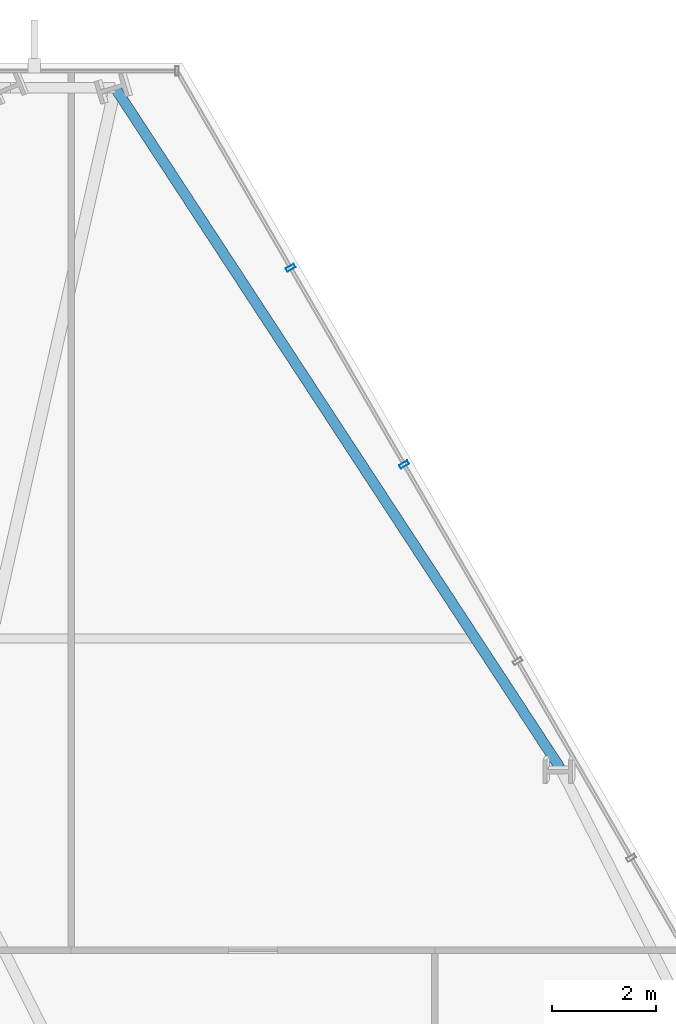
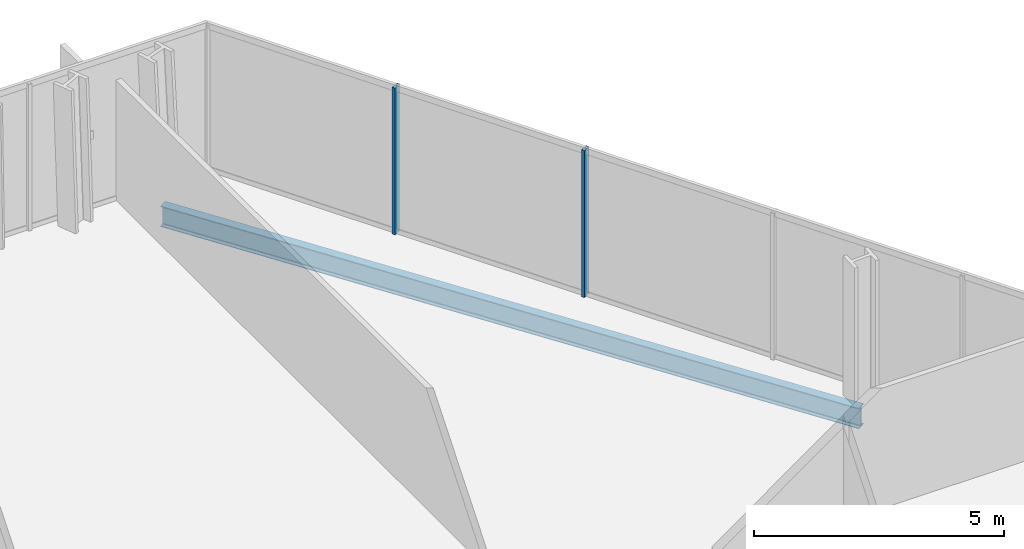
# One storey, part 25 of 33: 2 members, 1 beam, 1 element without a shape of its own.
"""IFC4 building model written with IfcOpenShell, lengths in metres."""

from ifc_helpers import new_model, si_unit, direction, frame, origin, origin_2d, place, context, subcontext, project, spatial, hollow_rectangle, i_section, extrude, material, layer, layer_set, material_profile, profile_set, type_object, element, aggregate, save


model = new_model("IFC4")

# Units and contexts
model_context = context("Model", 3, precision=1e-05, world=origin(), true_north=direction((0.0, 1.0)))
body_context = subcontext(model_context, "Body", "Model", "MODEL_VIEW")
ifc_project = project(units=[si_unit("LENGTHUNIT", "METRE"), si_unit("AREAUNIT", "SQUARE_METRE"), si_unit("VOLUMEUNIT", "CUBIC_METRE"), si_unit("PLANEANGLEUNIT", "RADIAN"), si_unit("MASSUNIT", "GRAM", prefix="KILO")], contexts=[model_context])

# Site, building, storey
site_placement = place(None, origin())
site = spatial("IfcSite", under=ifc_project, at=site_placement, CompositionType="ELEMENT")
building_placement = place(site_placement, origin())
building = spatial("IfcBuilding", under=site, at=building_placement, Name="Ndaravel Arena Tower", CompositionType="ELEMENT")
storey_placement = place(building_placement, frame((0.0, 0.0, 43.60009765625)))
storey = spatial("IfcBuildingStorey", under=building, at=storey_placement, Name="L08", CompositionType="ELEMENT", Elevation=43.60009765625)

# Beam
ifc_material_1 = material(Name="Steel S355", Category="steel")
ifc_material_profile_1 = material_profile(ifc_material_1, i_section(OverallWidth=0.199951171875, OverallDepth=0.5, WebThickness=0.01025390625, FlangeThickness=0.01611328125, FilletRadius=0.02099609375, at=origin_2d()), Name="IPE 500")
ifc_profile_set_1 = profile_set([ifc_material_profile_1], Name="Steel S355")
beam_type = type_object("IfcBeamType", Name="BM-SPAN-IPE500", PredefinedType="SPANDREL", material=ifc_profile_set_1)
beam_placement = place(storey_placement, frame((57.605712890625, 32.510009765625, -0.47021484375), z_axis=(-0.547517816718, 0.83679402506, 0.0), x_axis=(-0.83679402506, -0.547517816718, 0.0)))
element("IfcBeam", 1, at=beam_placement, inside=storey, type_object=beam_type, Name="L08 Perimeter Spandrel Beam SP-10", PredefinedType="SPANDREL", context=body_context, shape_type="SweptSolid", body=[
    extrude(i_section(OverallWidth=0.199951171875, OverallDepth=0.5, WebThickness=0.01025390625, FlangeThickness=0.01611328125, FilletRadius=0.02099609375, at=origin_2d()), origin(), (0.0, 0.0, 1.0), 15.631103515625),
])

# Curtain wall, members
ifc_material_2 = material(Name="Aluminium", Category="aluminium")
ifc_layer = layer(ifc_material_2, 0.179931640625)
ifc_layer_set = layer_set([ifc_layer], Name="Aluminium")
curtain_wall_type = type_object("IfcCurtainWallType", Name="CW-SYS-03", PredefinedType="NOTDEFINED", material=ifc_layer_set)
curtain_wall_placement = place(storey_placement, origin())
curtain_wall = element("IfcCurtainWall", 2, at=curtain_wall_placement, inside=storey, type_object=curtain_wall_type, Name="L08 Faceted Crystal Curtain Wall CW-L08-E03", PredefinedType="NOTDEFINED")
ifc_material_3 = material(Name="Aluminium", Category="aluminium")
ifc_material_profile_2 = material_profile(ifc_material_3, hollow_rectangle(XDim=0.074951171875, YDim=0.179931640625, WallThickness=0.00390625, at=origin_2d()), Name="CW MULLION 75x180x4")
ifc_profile_set_2 = profile_set([ifc_material_profile_2], Name="Aluminium")
member_type = type_object("IfcMemberType", Name="MEM-CW-MUL180", PredefinedType="MULLION", material=ifc_profile_set_2)
member_1_placement = place(storey_placement, frame((54.60693359375, 38.34423828125, 0.0), z_axis=(0.0, 0.0, 1.0), x_axis=(-0.5, 0.866025403784, 0.0)))
member_1 = element("IfcMember", 3, at=member_1_placement, type_object=member_type, Name="CW-L08-E03 Mullion 05", PredefinedType="MULLION", context=body_context, shape_type="SweptSolid", body=[
    extrude(hollow_rectangle(XDim=0.074951171875, YDim=0.179931640625, WallThickness=0.00390625, at=origin_2d()), origin(), (0.0, 0.0, 1.0), 3.579833984375),
])
member_2_placement = place(storey_placement, frame((52.4228515625, 42.127197265625, 0.0), z_axis=(0.0, 0.0, 1.0), x_axis=(-0.5, 0.866025403784, 0.0)))
member_2 = element("IfcMember", 4, at=member_2_placement, type_object=member_type, Name="CW-L08-E03 Mullion 06", PredefinedType="MULLION", context=body_context, shape_type="SweptSolid", body=[
    extrude(hollow_rectangle(XDim=0.074951171875, YDim=0.179931640625, WallThickness=0.00390625, at=origin_2d()), origin(), (0.0, 0.0, 1.0), 3.579833984375),
])
aggregate(curtain_wall, [member_1, member_2])

save(model, "model.ifc")
